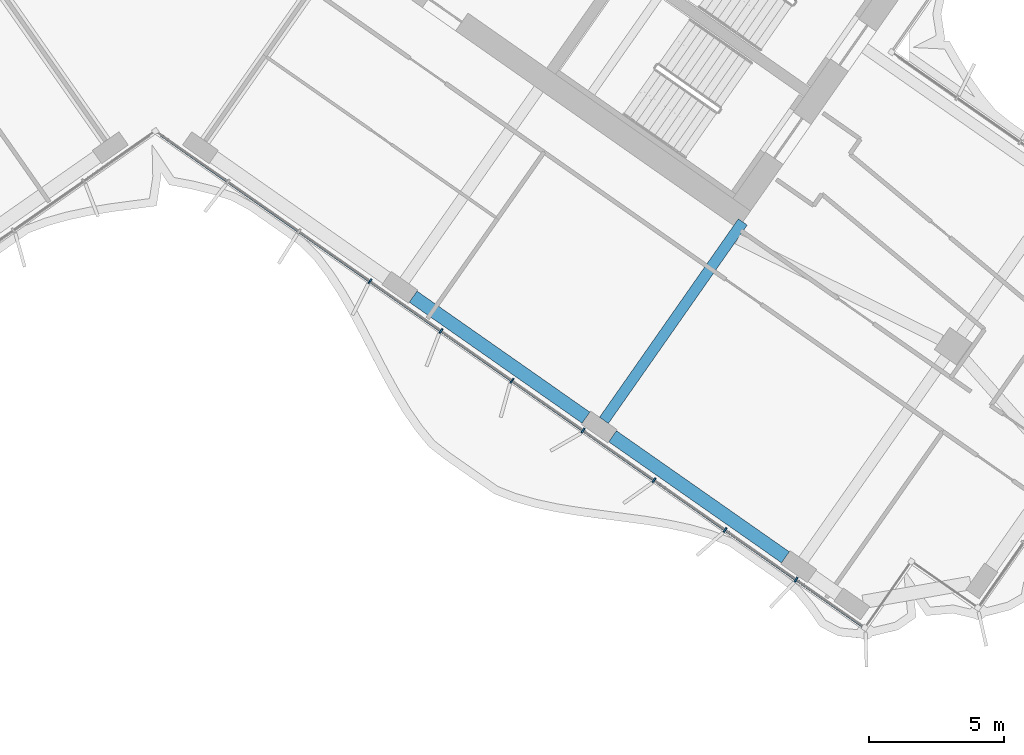
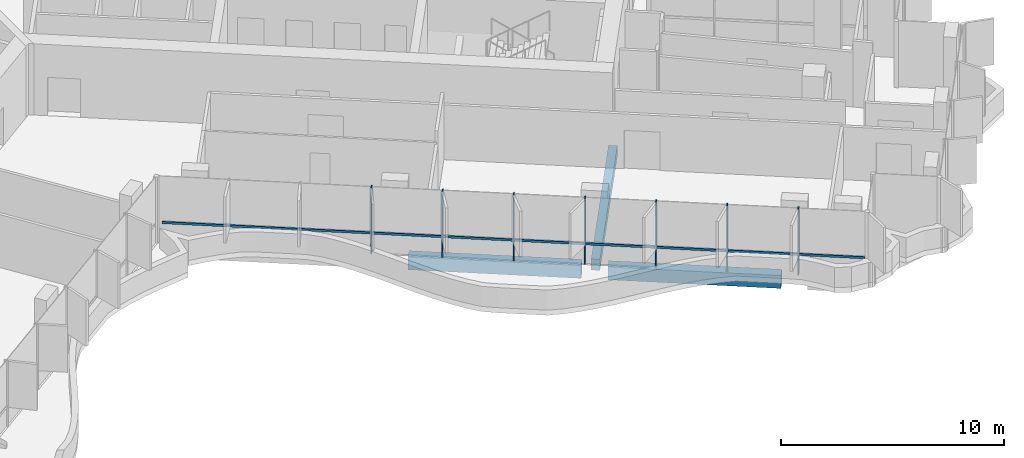
# One storey, part 5 of 21: 8 members, 3 beams, 1 element without a shape of its own.
"""IFC4 building model written with IfcOpenShell, lengths in metres."""

from ifc_helpers import new_model, si_unit, direction, frame, origin, origin_2d, place, context, subcontext, project, spatial, rectangle, extrude, material, material_profile, profile_set, type_object, element, aggregate, save


model = new_model("IFC4")

# Units and contexts
model_context = context("Model", 3, precision=1e-05, world=origin(), true_north=direction((0.0, 1.0)))
body_context = subcontext(model_context, "Body", "Model", "MODEL_VIEW")
ifc_project = project(units=[si_unit("LENGTHUNIT", "METRE"), si_unit("AREAUNIT", "SQUARE_METRE"), si_unit("VOLUMEUNIT", "CUBIC_METRE"), si_unit("PLANEANGLEUNIT", "RADIAN"), si_unit("MASSUNIT", "GRAM", prefix="KILO")], contexts=[model_context])

# Site, building, storey
site_placement = place(None, origin())
site = spatial("IfcSite", under=ifc_project, at=site_placement, CompositionType="ELEMENT")
building_placement = place(site_placement, origin())
building = spatial("IfcBuilding", under=site, at=building_placement, Name="Tel Ilan Convention Tower", CompositionType="ELEMENT")
storey_placement = place(building_placement, frame((0.0, 0.0, 151.5)))
storey = spatial("IfcBuildingStorey", under=building, at=storey_placement, Name="L34", CompositionType="ELEMENT", Elevation=151.5)

# Beams
ifc_material_1 = material(Name="Concrete C40/50", Category="concrete")
ifc_material_profile_1 = material_profile(ifc_material_1, rectangle(XDim=0.39990234375, YDim=0.60009765625, at=origin_2d()), Name="RC 400x600")
ifc_profile_set_1 = profile_set([ifc_material_profile_1], Name="Concrete C40/50")
beam_type_1 = type_object("IfcBeamType", Name="Beam RC 400x600 Concrete C40/50", PredefinedType="BEAM", material=ifc_profile_set_1)
beam_placement = place(storey_placement, frame((16.58203125, -23.391357421875, -0.580078125), z_axis=(0.573584999642, 0.819146048141, 0.0), x_axis=(-0.819146048141, 0.573584999642, 0.0)))
element("IfcBeam", 1, at=beam_placement, inside=storey, type_object=beam_type_1, Name="L34 beam E-E-F3-core", PredefinedType="BEAM", context=body_context, shape_type="SweptSolid", body=[
    extrude(rectangle(XDim=0.39990234375, YDim=0.60009765625, at=origin_2d()), origin(), (0.0, 0.0, 1.0), 8.949951171875),
])
ifc_material_2 = material(Name="Concrete C40/50", Category="concrete")
ifc_material_profile_2 = material_profile(ifc_material_2, rectangle(XDim=0.5, YDim=0.699951171875, at=origin_2d()), Name="RC 500x700")
ifc_profile_set_2 = profile_set([ifc_material_profile_2], Name="Concrete C40/50")
beam_type_2 = type_object("IfcBeamType", Name="Beam RC 500x700 Concrete C40/50", PredefinedType="BEAM", material=ifc_profile_set_2)
for number, where, z_axis, x_axis, name in (
    (2, (9.529052734375, -18.819091796875, -0.6298828125), (0.819153977895, -0.573573674866, 0.0), (0.573573674866, 0.819153977895, 0.0), "L34 beam E-E-F2-E-F3"),
    (3, (16.901611328125, -23.981201171875, -0.6298828125), (0.819153977895, -0.573573674866, 0.0), (0.573573674866, 0.819153977895, 0.0), "L34 beam E-E-F3-E-F4"),
):
    element("IfcBeam", number, at=place(storey_placement, frame(where, z_axis=z_axis, x_axis=x_axis)), inside=storey, type_object=beam_type_2, Name=name, PredefinedType="BEAM", context=body_context, shape_type="SweptSolid", body=[
        extrude(rectangle(XDim=0.5, YDim=0.699951171875, at=origin_2d()), origin(), (0.0, 0.0, 1.0), 7.800048828125),
    ])

# Curtain wall, members
ifc_material_3 = material(Name="Aluminium, bronze anodised", Category="aluminium")
curtain_wall_type = type_object("IfcCurtainWallType", Name="CW4 STICK CURTAIN WALL, OFFICE TINTED GLASS", PredefinedType="NOTDEFINED", material=ifc_material_3)
curtain_wall_placement = place(storey_placement, origin())
curtain_wall = element("IfcCurtainWall", 4, at=curtain_wall_placement, inside=storey, type_object=curtain_wall_type, Name="Curtain wall CW4-27.02", PredefinedType="NOTDEFINED")
ifc_material_4 = material(Name="Aluminium, bronze anodised", Category="aluminium")
ifc_material_profile_3 = material_profile(ifc_material_4, rectangle(XDim=0.06005859375, YDim=0.199951171875, at=origin_2d()), Name="CW MULLION 60x200")
ifc_profile_set_3 = profile_set([ifc_material_profile_3], Name="Aluminium, bronze anodised")
member_type_1 = type_object("IfcMemberType", Name="CW MULLION 60x200", PredefinedType="MULLION", material=ifc_profile_set_3)
member_1_placement = place(storey_placement, frame((7.932861328125, -18.250732421875, 0.0), z_axis=(0.0, 0.0, 1.0), x_axis=(0.819152044289, -0.573576436351, 0.0)))
member_1 = element("IfcMember", 5, at=member_1_placement, type_object=member_type_1, Name="Mullion", PredefinedType="MULLION", context=body_context, shape_type="SweptSolid", body=[
    extrude(rectangle(XDim=0.06005859375, YDim=0.199951171875, at=origin_2d()), origin(), (0.0, 0.0, 1.0), 3.6201171875),
])
member_2_placement = place(storey_placement, frame((10.55810546875, -20.0888671875, 0.0), z_axis=(0.0, 0.0, 1.0), x_axis=(0.819152044289, -0.573576436351, 0.0)))
member_2 = element("IfcMember", 6, at=member_2_placement, type_object=member_type_1, Name="Mullion", PredefinedType="MULLION", context=body_context, shape_type="SweptSolid", body=[
    extrude(rectangle(XDim=0.06005859375, YDim=0.199951171875, at=origin_2d()), origin(), (0.0, 0.0, 1.0), 3.6201171875),
])
member_3_placement = place(storey_placement, frame((13.183349609375, -21.92724609375, 0.0), z_axis=(0.0, 0.0, 1.0), x_axis=(0.819152044289, -0.573576436351, 0.0)))
member_3 = element("IfcMember", 7, at=member_3_placement, type_object=member_type_1, Name="Mullion", PredefinedType="MULLION", context=body_context, shape_type="SweptSolid", body=[
    extrude(rectangle(XDim=0.06005859375, YDim=0.199951171875, at=origin_2d()), origin(), (0.0, 0.0, 1.0), 3.6201171875),
])
member_4_placement = place(storey_placement, frame((15.80859375, -23.765380859375, 0.0), z_axis=(0.0, 0.0, 1.0), x_axis=(0.819152044289, -0.573576436351, 0.0)))
member_4 = element("IfcMember", 8, at=member_4_placement, type_object=member_type_1, Name="Mullion", PredefinedType="MULLION", context=body_context, shape_type="SweptSolid", body=[
    extrude(rectangle(XDim=0.06005859375, YDim=0.199951171875, at=origin_2d()), origin(), (0.0, 0.0, 1.0), 3.6201171875),
])
member_5_placement = place(storey_placement, frame((18.433837890625, -25.603515625, 0.0), z_axis=(0.0, 0.0, 1.0), x_axis=(0.819152044289, -0.573576436351, 0.0)))
member_5 = element("IfcMember", 9, at=member_5_placement, type_object=member_type_1, Name="Mullion", PredefinedType="MULLION", context=body_context, shape_type="SweptSolid", body=[
    extrude(rectangle(XDim=0.06005859375, YDim=0.199951171875, at=origin_2d()), origin(), (0.0, 0.0, 1.0), 3.6201171875),
])
member_6_placement = place(storey_placement, frame((21.05908203125, -27.441650390625, 0.0), z_axis=(0.0, 0.0, 1.0), x_axis=(0.819152044289, -0.573576436351, 0.0)))
member_6 = element("IfcMember", 10, at=member_6_placement, type_object=member_type_1, Name="Mullion", PredefinedType="MULLION", context=body_context, shape_type="SweptSolid", body=[
    extrude(rectangle(XDim=0.06005859375, YDim=0.199951171875, at=origin_2d()), origin(), (0.0, 0.0, 1.0), 3.6201171875),
])
member_7_placement = place(storey_placement, frame((23.68408203125, -29.27978515625, 0.0), z_axis=(0.0, 0.0, 1.0), x_axis=(0.819152044289, -0.573576436351, 0.0)))
member_7 = element("IfcMember", 11, at=member_7_placement, type_object=member_type_1, Name="Mullion", PredefinedType="MULLION", context=body_context, shape_type="SweptSolid", body=[
    extrude(rectangle(XDim=0.06005859375, YDim=0.199951171875, at=origin_2d()), origin(), (0.0, 0.0, 1.0), 3.6201171875),
])
ifc_material_5 = material(Name="Aluminium, bronze anodised", Category="aluminium")
ifc_material_profile_4 = material_profile(ifc_material_5, rectangle(XDim=0.10009765625, YDim=0.1201171875, at=origin_2d()), Name="CW TRANSOM 100x120")
ifc_profile_set_4 = profile_set([ifc_material_profile_4], Name="Aluminium, bronze anodised")
member_type_2 = type_object("IfcMemberType", Name="CW TRANSOM 100x120", PredefinedType="USERDEFINED", material=ifc_profile_set_4)
member_8_placement = place(storey_placement, frame((0.22119140625, -12.850830078125, 1.10009765625), z_axis=(0.819149281128, -0.573580382534, 0.0), x_axis=(0.573580382534, 0.819149281128, 0.0)))
member_8 = element("IfcMember", 12, at=member_8_placement, type_object=member_type_2, Name="Transom", ObjectType="TRANSOM", PredefinedType="USERDEFINED", context=body_context, shape_type="SweptSolid", body=[
    extrude(rectangle(XDim=0.10009765625, YDim=0.1201171875, at=origin_2d()), origin(), (0.0, 0.0, 1.0), 31.64794921875),
])
aggregate(curtain_wall, [member_1, member_2, member_3, member_4, member_5, member_6, member_7, member_8])

save(model, "model.ifc")
